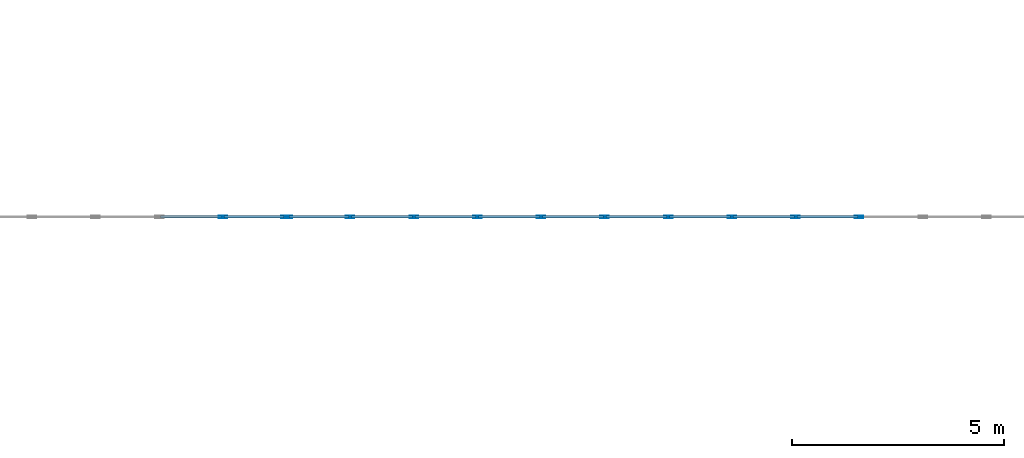
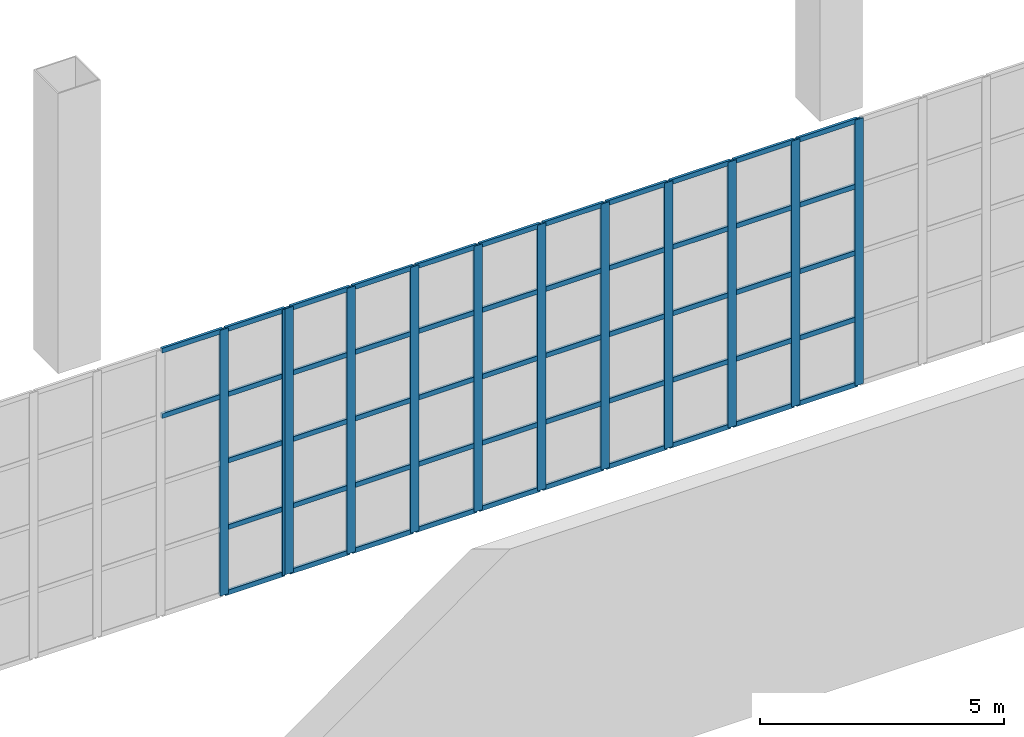
# One storey, part 19 of 85: 64 members, 2 elements without a shape of their own.
"""IFC4 building model written with IfcOpenShell, lengths in metres."""

import ifcopenshell
import ifcopenshell.guid

model = None  # the IFC model being written
_history = None  # IfcOwnerHistory: only IFC2X3 demands one
_inside = {}  # id of a spatial element -> (the spatial element, [elements in it])
_under = {}  # id of a project, library or spatial element -> (it, [spatial elements below it])
_declared = {}  # id of a project -> (the project, [libraries it declares])
_typed = {}  # id of a type object -> (the type object, [elements of that type])
_made_of = {}  # id of a material, layer set ... -> (it, [elements and type objects made of it])


def new_model(schema):
    """Start an empty IFC model of exactly this schema.

    Asked for "IFC4X3", IfcOpenShell would pick the latest addendum, in which some entities
    have other attributes; the version numbers below select the first issue.
    IFC2X3 requires an IfcOwnerHistory on every rooted entity: one is made here for all.
    """
    global model, _history
    if schema == "IFC4X3":
        model = ifcopenshell.file(schema_version=(4, 3, 0, 0))
    else:
        model = ifcopenshell.file(schema=schema)
    _inside.clear()
    _under.clear()
    _declared.clear()
    _typed.clear()
    _made_of.clear()
    _history = None
    if model.schema == "IFC2X3":
        org = make("IfcOrganization", Name="unknown")
        user = make(
            "IfcPersonAndOrganization",
            ThePerson=make("IfcPerson", FamilyName="unknown"),
            TheOrganization=org,
        )
        app = make(
            "IfcApplication",
            ApplicationDeveloper=org,
            Version="unknown",
            ApplicationFullName="unknown",
            ApplicationIdentifier="unknown",
        )
        _history = make(
            "IfcOwnerHistory",
            OwningUser=user,
            OwningApplication=app,
            ChangeAction="ADDED",
            CreationDate=0,
        )
    return model


def make(cls, **values):
    """One entity of the class cls with the attributes given. An attribute that is None is left unset."""
    return model.create_entity(
        cls, **{name: value for name, value in values.items() if value is not None}
    )


def rooted(cls, **values):
    """An entity with a GlobalId (a new one), such as an element, a storey or a relation."""
    return make(cls, GlobalId=ifcopenshell.guid.new(), OwnerHistory=_history, **values)


def si_unit(unit_type, name, prefix=None):
    """IfcSIUnit, for example si_unit("LENGTHUNIT", "METRE", prefix="MILLI")."""
    return make("IfcSIUnit", UnitType=unit_type, Prefix=prefix, Name=name)


def assignment(units):
    """IfcUnitAssignment: the units of a project."""
    return None if units is None else make("IfcUnitAssignment", Units=units)


def point(xyz):
    """IfcCartesianPoint."""
    return None if xyz is None else make("IfcCartesianPoint", Coordinates=xyz)


def direction(xyz):
    """IfcDirection."""
    return None if xyz is None else make("IfcDirection", DirectionRatios=xyz)


def frame(location, z_axis=None, x_axis=None):
    """IfcAxis2Placement3D, a coordinate frame: its origin and axes. An axis left out is left unset."""
    return make(
        "IfcAxis2Placement3D",
        Location=point(location),
        Axis=direction(z_axis),
        RefDirection=direction(x_axis),
    )


def frame_2d(location, x_axis=None):
    """IfcAxis2Placement2D, a coordinate frame in the plane: its origin and x axis."""
    return make(
        "IfcAxis2Placement2D", Location=point(location), RefDirection=direction(x_axis)
    )


def origin():
    """The frame at (0, 0, 0) with its axes left unset."""
    return frame((0.0, 0.0, 0.0))


def origin_2d():
    """The frame at (0, 0) in the plane with its x axis left unset."""
    return frame_2d((0.0, 0.0))


def place(relative_to, where):
    """IfcLocalPlacement: puts the frame where relative to a parent placement (None: the world)."""
    return make(
        "IfcLocalPlacement", PlacementRelTo=relative_to, RelativePlacement=where
    )


def context(
    kind, dimensions, precision=None, world=None, true_north=None, identifier=None
):
    """IfcGeometricRepresentationContext, for example the 3D "Model" context."""
    return make(
        "IfcGeometricRepresentationContext",
        ContextIdentifier=identifier,
        ContextType=kind,
        CoordinateSpaceDimension=dimensions,
        Precision=precision,
        WorldCoordinateSystem=world,
        TrueNorth=true_north,
    )


def subcontext(parent, identifier, kind, view, scale=None):
    """IfcGeometricRepresentationSubContext, for example "Body" below "Model"."""
    return make(
        "IfcGeometricRepresentationSubContext",
        ContextIdentifier=identifier,
        ContextType=kind,
        ParentContext=parent,
        TargetScale=scale,
        TargetView=view,
    )


def project(units=None, contexts=None):
    """IfcProject with its units and contexts."""
    return rooted(
        "IfcProject",
        Name="project",
        RepresentationContexts=contexts,
        UnitsInContext=assignment(units),
    )


def spatial(cls, under=None, at=None, **own):
    """A site, building, storey or space (cls), placed at a placement, below another one or the project."""
    s = rooted(cls, ObjectPlacement=at, **own)
    if under is not None:
        _under.setdefault(under.id(), (under, []))[1].append(s)
    return s


def profile(cls, at=None, kind="AREA", **sizes):
    """A parametric profile (cls). Its sizes go by their IFC names, for example OverallWidth=200.0."""
    return make(cls, ProfileType=kind, Position=at, **sizes)


def hollow_rectangle(**sizes):
    """IfcRectangleHollowProfileDef."""
    return profile("IfcRectangleHollowProfileDef", **sizes)


def extrude(swept, where, along, depth):
    """IfcExtrudedAreaSolid: the profile swept, set in the frame where, extruded along a direction by depth."""
    return make(
        "IfcExtrudedAreaSolid",
        SweptArea=swept,
        Position=where,
        ExtrudedDirection=direction(along),
        Depth=depth,
    )


def shape(context_of_items, identifier, shape_type, items):
    """IfcShapeRepresentation: the items that make up one representation, for example the "Body"."""
    return make(
        "IfcShapeRepresentation",
        ContextOfItems=context_of_items,
        RepresentationIdentifier=identifier,
        RepresentationType=shape_type,
        Items=items,
    )


def material(Name=None, Category=None):
    """IfcMaterial."""
    return make("IfcMaterial", Name=Name, Category=Category)


def layer(
    of_material, thickness, ventilated=None, Name=None, Category=None, Priority=None
):
    """IfcMaterialLayer: one layer of a wall or slab, of a material (None: an air gap)."""
    return make(
        "IfcMaterialLayer",
        Material=of_material,
        LayerThickness=thickness,
        IsVentilated=ventilated,
        Name=Name,
        Category=Category,
        Priority=Priority,
    )


def layer_set(layers, Name=None):
    """IfcMaterialLayerSet."""
    return make("IfcMaterialLayerSet", MaterialLayers=layers, LayerSetName=Name)


def material_profile(
    of_material, cross_section, Name=None, Category=None, Priority=None
):
    """IfcMaterialProfile: a cross section and its material."""
    return make(
        "IfcMaterialProfile",
        Name=Name,
        Material=of_material,
        Profile=cross_section,
        Priority=Priority,
        Category=Category,
    )


def profile_set(profiles, Name=None, composite=None):
    """IfcMaterialProfileSet."""
    return make(
        "IfcMaterialProfileSet",
        Name=Name,
        MaterialProfiles=profiles,
        CompositeProfile=composite,
    )


def made_of(thing, what):
    """Note that an element or type object is made of a material, layer set ...; save() writes the relation."""
    if what is not None:
        _made_of.setdefault(what.id(), (what, []))[1].append(thing)
    return thing


def type_object(cls, material=None, **own):
    """A type object (cls), such as IfcWallType, which elements share."""
    return made_of(rooted(cls, **own), material)


def element(
    cls,
    number,
    at=None,
    inside=None,
    cuts=None,
    type_object=None,
    material=None,
    context=None,
    identifier="Body",
    shape_type=None,
    held_by="IfcProductDefinitionShape",
    body=None,
    shapes=None,
    **own,
):
    """One element of the class cls, such as IfcWall. Its Tag is "e" and its number.

    at: its placement. inside: the storey or other place that contains it. cuts: it is an
    opening in that element (IfcRelVoidsElement). A single representation is given by context,
    identifier, shape_type and body (its items); several are given by shapes. held_by: the class
    of the entity that holds the representations. save() writes the other relations.
    """
    e = rooted(cls, Tag="e%d" % number, ObjectPlacement=at, **own)
    if body is not None:
        shapes = [shape(context, identifier, shape_type, body)]
    if shapes is not None:
        e.Representation = make(held_by, Representations=shapes)
    if inside is not None:
        _inside.setdefault(inside.id(), (inside, []))[1].append(e)
    if cuts is not None:
        rooted(
            "IfcRelVoidsElement", RelatingBuildingElement=cuts, RelatedOpeningElement=e
        )
    if type_object is not None:
        _typed.setdefault(type_object.id(), (type_object, []))[1].append(e)
    return made_of(e, material)


def aggregate(whole, parts):
    """IfcRelAggregates: a whole, such as a stair, and the parts it consists of."""
    return rooted("IfcRelAggregates", RelatingObject=whole, RelatedObjects=parts)


def save(model, path):
    """Write the relations noted so far, then the file.

    IfcRelAggregates (storeys below a building ...), IfcRelContainedInSpatialStructure (elements
    in a storey), IfcRelDefinesByType, IfcRelAssociatesMaterial and IfcRelDeclares: one each for
    every whole, place, type object, material and project.
    """
    for whole, parts in _under.values():
        aggregate(whole, parts)
    for where, things in _inside.values():
        rooted(
            "IfcRelContainedInSpatialStructure",
            RelatedElements=things,
            RelatingStructure=where,
        )
    for kind, things in _typed.values():
        rooted("IfcRelDefinesByType", RelatedObjects=things, RelatingType=kind)
    for what, things in _made_of.values():
        rooted("IfcRelAssociatesMaterial", RelatedObjects=things, RelatingMaterial=what)
    for by, libraries in _declared.values():
        rooted("IfcRelDeclares", RelatingContext=by, RelatedDefinitions=libraries)
    model.write(path)


model = new_model("IFC4")

# Units and contexts
model_context = context("Model", 3, precision=1e-05, world=origin(), true_north=direction((0.0, 1.0)))
body_context = subcontext(model_context, "Body", "Model", "MODEL_VIEW")
ifc_project = project(units=[si_unit("LENGTHUNIT", "METRE"), si_unit("AREAUNIT", "SQUARE_METRE"), si_unit("VOLUMEUNIT", "CUBIC_METRE"), si_unit("PLANEANGLEUNIT", "RADIAN"), si_unit("MASSUNIT", "GRAM", prefix="KILO")], contexts=[model_context])

# Site, building, storey
site_placement = place(None, origin())
site = spatial("IfcSite", under=ifc_project, at=site_placement, CompositionType="ELEMENT")
building_placement = place(site_placement, origin())
building = spatial("IfcBuilding", under=site, at=building_placement, Name="Opaline Strait Convention Centre", CompositionType="ELEMENT")
storey_placement = place(building_placement, frame((0.0, 0.0, 17.0)))
storey = spatial("IfcBuildingStorey", under=building, at=storey_placement, Name="L03", CompositionType="ELEMENT", Elevation=17.0)

# Curtain wall, members
ifc_material_1 = material(Name="Aluminium framed glazing", Category="aluminium")
ifc_layer = layer(ifc_material_1, 0.199951171875)
ifc_layer_set = layer_set([ifc_layer], Name="Aluminium framed glazing")
curtain_wall_type = type_object("IfcCurtainWallType", Name="Entrance curtain wall 1500", PredefinedType="NOTDEFINED", material=ifc_layer_set)
curtain_wall_1_placement = place(storey_placement, origin())
curtain_wall_1 = element("IfcCurtainWall", 1, at=curtain_wall_1_placement, inside=storey, type_object=curtain_wall_type, Name="Entrance curtain wall L03-R1", PredefinedType="NOTDEFINED")
ifc_material_2 = material(Name="Aluminium alloy 6063", Category="aluminium")
ifc_material_profile_1 = material_profile(ifc_material_2, hollow_rectangle(XDim=0.06005859375, YDim=0.199951171875, WallThickness=0.00390625, at=origin_2d()), Name="MULLION 60x200x4")
ifc_profile_set_1 = profile_set([ifc_material_profile_1], Name="Aluminium alloy 6063")
member_type_1 = type_object("IfcMemberType", Name="Curtain wall mullion 60 x 200", PredefinedType="MULLION", material=ifc_profile_set_1)
member_1_placement = place(storey_placement, frame((169.5, 144.0, 0.0), z_axis=(0.0, 0.0, 1.0), x_axis=(0.0, 1.0, 0.0)))
member_1 = element("IfcMember", 2, at=member_1_placement, type_object=member_type_1, Name="XCW mullion 12", PredefinedType="MULLION", context=body_context, shape_type="SweptSolid", body=[
    extrude(hollow_rectangle(XDim=0.06005859375, YDim=0.199951171875, WallThickness=0.00390625, at=origin_2d()), origin(), (0.0, 0.0, 1.0), 6.639892578125),
])
member_2_placement = place(storey_placement, frame((170.969970703125, 144.0, 0.0), z_axis=(0.0, 0.0, 1.0), x_axis=(0.0, 1.0, 0.0)))
member_2 = element("IfcMember", 3, at=member_2_placement, type_object=member_type_1, Name="XCW mullion 13", PredefinedType="MULLION", context=body_context, shape_type="SweptSolid", body=[
    extrude(hollow_rectangle(XDim=0.06005859375, YDim=0.199951171875, WallThickness=0.00390625, at=origin_2d()), origin(), (0.0, 0.0, 1.0), 6.639892578125),
])

curtain_wall_2_placement = place(storey_placement, origin())
curtain_wall_2 = element("IfcCurtainWall", 4, at=curtain_wall_2_placement, inside=storey, type_object=curtain_wall_type, Name="Entrance curtain wall L03-R2", PredefinedType="NOTDEFINED")
member_3_placement = place(storey_placement, frame((171.030029296875, 144.0, 0.0), z_axis=(0.0, 0.0, 1.0), x_axis=(0.0, 1.0, 0.0)))
member_3 = element("IfcMember", 5, at=member_3_placement, type_object=member_type_1, Name="XCW mullion 1", PredefinedType="MULLION", context=body_context, shape_type="SweptSolid", body=[
    extrude(hollow_rectangle(XDim=0.06005859375, YDim=0.199951171875, WallThickness=0.00390625, at=origin_2d()), origin(), (0.0, 0.0, 1.0), 6.639892578125),
])
member_4_placement = place(storey_placement, frame((172.5, 144.0, 0.0), z_axis=(0.0, 0.0, 1.0), x_axis=(0.0, 1.0, 0.0)))
member_4 = element("IfcMember", 6, at=member_4_placement, type_object=member_type_1, Name="XCW mullion 2", PredefinedType="MULLION", context=body_context, shape_type="SweptSolid", body=[
    extrude(hollow_rectangle(XDim=0.06005859375, YDim=0.199951171875, WallThickness=0.00390625, at=origin_2d()), origin(), (0.0, 0.0, 1.0), 6.639892578125),
])
member_5_placement = place(storey_placement, frame((174.0, 144.0, 0.0), z_axis=(0.0, 0.0, 1.0), x_axis=(0.0, 1.0, 0.0)))
member_5 = element("IfcMember", 7, at=member_5_placement, type_object=member_type_1, Name="XCW mullion 3", PredefinedType="MULLION", context=body_context, shape_type="SweptSolid", body=[
    extrude(hollow_rectangle(XDim=0.06005859375, YDim=0.199951171875, WallThickness=0.00390625, at=origin_2d()), origin(), (0.0, 0.0, 1.0), 6.639892578125),
])
member_6_placement = place(storey_placement, frame((175.5, 144.0, 0.0), z_axis=(0.0, 0.0, 1.0), x_axis=(0.0, 1.0, 0.0)))
member_6 = element("IfcMember", 8, at=member_6_placement, type_object=member_type_1, Name="XCW mullion 4", PredefinedType="MULLION", context=body_context, shape_type="SweptSolid", body=[
    extrude(hollow_rectangle(XDim=0.06005859375, YDim=0.199951171875, WallThickness=0.00390625, at=origin_2d()), origin(), (0.0, 0.0, 1.0), 6.639892578125),
])
member_7_placement = place(storey_placement, frame((177.0, 144.0, 0.0), z_axis=(0.0, 0.0, 1.0), x_axis=(0.0, 1.0, 0.0)))
member_7 = element("IfcMember", 9, at=member_7_placement, type_object=member_type_1, Name="XCW mullion 5", PredefinedType="MULLION", context=body_context, shape_type="SweptSolid", body=[
    extrude(hollow_rectangle(XDim=0.06005859375, YDim=0.199951171875, WallThickness=0.00390625, at=origin_2d()), origin(), (0.0, 0.0, 1.0), 6.639892578125),
])
member_8_placement = place(storey_placement, frame((178.5, 144.0, 0.0), z_axis=(0.0, 0.0, 1.0), x_axis=(0.0, 1.0, 0.0)))
member_8 = element("IfcMember", 10, at=member_8_placement, type_object=member_type_1, Name="XCW mullion 6", PredefinedType="MULLION", context=body_context, shape_type="SweptSolid", body=[
    extrude(hollow_rectangle(XDim=0.06005859375, YDim=0.199951171875, WallThickness=0.00390625, at=origin_2d()), origin(), (0.0, 0.0, 1.0), 6.639892578125),
])
member_9_placement = place(storey_placement, frame((180.0, 144.0, 0.0), z_axis=(0.0, 0.0, 1.0), x_axis=(0.0, 1.0, 0.0)))
member_9 = element("IfcMember", 11, at=member_9_placement, type_object=member_type_1, Name="XCW mullion 7", PredefinedType="MULLION", context=body_context, shape_type="SweptSolid", body=[
    extrude(hollow_rectangle(XDim=0.06005859375, YDim=0.199951171875, WallThickness=0.00390625, at=origin_2d()), origin(), (0.0, 0.0, 1.0), 6.639892578125),
])
member_10_placement = place(storey_placement, frame((181.5, 144.0, 0.0), z_axis=(0.0, 0.0, 1.0), x_axis=(0.0, 1.0, 0.0)))
member_10 = element("IfcMember", 12, at=member_10_placement, type_object=member_type_1, Name="XCW mullion 8", PredefinedType="MULLION", context=body_context, shape_type="SweptSolid", body=[
    extrude(hollow_rectangle(XDim=0.06005859375, YDim=0.199951171875, WallThickness=0.00390625, at=origin_2d()), origin(), (0.0, 0.0, 1.0), 6.639892578125),
])
member_11_placement = place(storey_placement, frame((183.0, 144.0, 0.0), z_axis=(0.0, 0.0, 1.0), x_axis=(0.0, 1.0, 0.0)))
member_11 = element("IfcMember", 13, at=member_11_placement, type_object=member_type_1, Name="XCW mullion 9", PredefinedType="MULLION", context=body_context, shape_type="SweptSolid", body=[
    extrude(hollow_rectangle(XDim=0.06005859375, YDim=0.199951171875, WallThickness=0.00390625, at=origin_2d()), origin(), (0.0, 0.0, 1.0), 6.639892578125),
])
member_12_placement = place(storey_placement, frame((184.5, 144.0, 0.0), z_axis=(0.0, 0.0, 1.0), x_axis=(0.0, 1.0, 0.0)))
member_12 = element("IfcMember", 14, at=member_12_placement, type_object=member_type_1, Name="XCW mullion 10", PredefinedType="MULLION", context=body_context, shape_type="SweptSolid", body=[
    extrude(hollow_rectangle(XDim=0.06005859375, YDim=0.199951171875, WallThickness=0.00390625, at=origin_2d()), origin(), (0.0, 0.0, 1.0), 6.639892578125),
])

# Member
ifc_material_profile_2 = material_profile(ifc_material_2, hollow_rectangle(XDim=0.06005859375, YDim=0.1201171875, WallThickness=0.0029296875, at=origin_2d()), Name="TRANSOM 60x120x3")
ifc_profile_set_2 = profile_set([ifc_material_profile_2], Name="Aluminium alloy 6063")
member_type_2 = type_object("IfcMemberType", Name="Curtain wall transom 60 x 120", PredefinedType="USERDEFINED", material=ifc_profile_set_2)
member_13_placement = place(storey_placement, frame((168.030029296875, 144.0, 4.97998046875), z_axis=(1.0, 0.0, 0.0), x_axis=(0.0, 1.0, 0.0)))
member_13 = element("IfcMember", 15, at=member_13_placement, type_object=member_type_2, Name="XCW transom 11.4", ObjectType="TRANSOM", PredefinedType="USERDEFINED", context=body_context, shape_type="SweptSolid", body=[
    extrude(hollow_rectangle(XDim=0.06005859375, YDim=0.1201171875, WallThickness=0.0029296875, at=origin_2d()), origin(), (0.0, 0.0, 1.0), 1.43994140625),
])

member_14_placement = place(storey_placement, frame((168.030029296875, 144.0, 6.610107421875), z_axis=(1.0, 0.0, 0.0), x_axis=(0.0, 1.0, 0.0)))
member_14 = element("IfcMember", 16, at=member_14_placement, type_object=member_type_2, Name="XCW transom 11.5", ObjectType="TRANSOM", PredefinedType="USERDEFINED", context=body_context, shape_type="SweptSolid", body=[
    extrude(hollow_rectangle(XDim=0.06005859375, YDim=0.1201171875, WallThickness=0.0029296875, at=origin_2d()), origin(), (0.0, 0.0, 1.0), 1.43994140625),
])

member_15_placement = place(storey_placement, frame((169.530029296875, 144.0, 0.030029296875), z_axis=(1.0, 0.0, 0.0), x_axis=(0.0, 1.0, 0.0)))
member_15 = element("IfcMember", 17, at=member_15_placement, type_object=member_type_2, Name="XCW transom 12.1", ObjectType="TRANSOM", PredefinedType="USERDEFINED", context=body_context, shape_type="SweptSolid", body=[
    extrude(hollow_rectangle(XDim=0.06005859375, YDim=0.1201171875, WallThickness=0.0029296875, at=origin_2d()), origin(), (0.0, 0.0, 1.0), 1.409912109375),
])

member_16_placement = place(storey_placement, frame((169.530029296875, 144.0, 1.659912109375), z_axis=(1.0, 0.0, 0.0), x_axis=(0.0, 1.0, 0.0)))
member_16 = element("IfcMember", 18, at=member_16_placement, type_object=member_type_2, Name="XCW transom 12.2", ObjectType="TRANSOM", PredefinedType="USERDEFINED", context=body_context, shape_type="SweptSolid", body=[
    extrude(hollow_rectangle(XDim=0.06005859375, YDim=0.1201171875, WallThickness=0.0029296875, at=origin_2d()), origin(), (0.0, 0.0, 1.0), 1.409912109375),
])

member_17_placement = place(storey_placement, frame((169.530029296875, 144.0, 3.320068359375), z_axis=(1.0, 0.0, 0.0), x_axis=(0.0, 1.0, 0.0)))
member_17 = element("IfcMember", 19, at=member_17_placement, type_object=member_type_2, Name="XCW transom 12.3", ObjectType="TRANSOM", PredefinedType="USERDEFINED", context=body_context, shape_type="SweptSolid", body=[
    extrude(hollow_rectangle(XDim=0.06005859375, YDim=0.1201171875, WallThickness=0.0029296875, at=origin_2d()), origin(), (0.0, 0.0, 1.0), 1.409912109375),
])

member_18_placement = place(storey_placement, frame((169.530029296875, 144.0, 4.97998046875), z_axis=(1.0, 0.0, 0.0), x_axis=(0.0, 1.0, 0.0)))
member_18 = element("IfcMember", 20, at=member_18_placement, type_object=member_type_2, Name="XCW transom 12.4", ObjectType="TRANSOM", PredefinedType="USERDEFINED", context=body_context, shape_type="SweptSolid", body=[
    extrude(hollow_rectangle(XDim=0.06005859375, YDim=0.1201171875, WallThickness=0.0029296875, at=origin_2d()), origin(), (0.0, 0.0, 1.0), 1.409912109375),
])

member_19_placement = place(storey_placement, frame((169.530029296875, 144.0, 6.610107421875), z_axis=(1.0, 0.0, 0.0), x_axis=(0.0, 1.0, 0.0)))
member_19 = element("IfcMember", 21, at=member_19_placement, type_object=member_type_2, Name="XCW transom 12.5", ObjectType="TRANSOM", PredefinedType="USERDEFINED", context=body_context, shape_type="SweptSolid", body=[
    extrude(hollow_rectangle(XDim=0.06005859375, YDim=0.1201171875, WallThickness=0.0029296875, at=origin_2d()), origin(), (0.0, 0.0, 1.0), 1.409912109375),
])

aggregate(curtain_wall_1, [member_1, member_2, member_13, member_14, member_15, member_16, member_17, member_18, member_19])

member_20_placement = place(storey_placement, frame((171.06005859375, 144.0, 0.030029296875), z_axis=(1.0, 0.0, 0.0), x_axis=(0.0, 1.0, 0.0)))
member_20 = element("IfcMember", 22, at=member_20_placement, type_object=member_type_2, Name="XCW transom 1.1", ObjectType="TRANSOM", PredefinedType="USERDEFINED", context=body_context, shape_type="SweptSolid", body=[
    extrude(hollow_rectangle(XDim=0.06005859375, YDim=0.1201171875, WallThickness=0.0029296875, at=origin_2d()), origin(), (0.0, 0.0, 1.0), 1.409912109375),
])

member_21_placement = place(storey_placement, frame((171.06005859375, 144.0, 1.659912109375), z_axis=(1.0, 0.0, 0.0), x_axis=(0.0, 1.0, 0.0)))
member_21 = element("IfcMember", 23, at=member_21_placement, type_object=member_type_2, Name="XCW transom 1.2", ObjectType="TRANSOM", PredefinedType="USERDEFINED", context=body_context, shape_type="SweptSolid", body=[
    extrude(hollow_rectangle(XDim=0.06005859375, YDim=0.1201171875, WallThickness=0.0029296875, at=origin_2d()), origin(), (0.0, 0.0, 1.0), 1.409912109375),
])

member_22_placement = place(storey_placement, frame((171.06005859375, 144.0, 3.320068359375), z_axis=(1.0, 0.0, 0.0), x_axis=(0.0, 1.0, 0.0)))
member_22 = element("IfcMember", 24, at=member_22_placement, type_object=member_type_2, Name="XCW transom 1.3", ObjectType="TRANSOM", PredefinedType="USERDEFINED", context=body_context, shape_type="SweptSolid", body=[
    extrude(hollow_rectangle(XDim=0.06005859375, YDim=0.1201171875, WallThickness=0.0029296875, at=origin_2d()), origin(), (0.0, 0.0, 1.0), 1.409912109375),
])

member_23_placement = place(storey_placement, frame((171.06005859375, 144.0, 4.97998046875), z_axis=(1.0, 0.0, 0.0), x_axis=(0.0, 1.0, 0.0)))
member_23 = element("IfcMember", 25, at=member_23_placement, type_object=member_type_2, Name="XCW transom 1.4", ObjectType="TRANSOM", PredefinedType="USERDEFINED", context=body_context, shape_type="SweptSolid", body=[
    extrude(hollow_rectangle(XDim=0.06005859375, YDim=0.1201171875, WallThickness=0.0029296875, at=origin_2d()), origin(), (0.0, 0.0, 1.0), 1.409912109375),
])

member_24_placement = place(storey_placement, frame((171.06005859375, 144.0, 6.610107421875), z_axis=(1.0, 0.0, 0.0), x_axis=(0.0, 1.0, 0.0)))
member_24 = element("IfcMember", 26, at=member_24_placement, type_object=member_type_2, Name="XCW transom 1.5", ObjectType="TRANSOM", PredefinedType="USERDEFINED", context=body_context, shape_type="SweptSolid", body=[
    extrude(hollow_rectangle(XDim=0.06005859375, YDim=0.1201171875, WallThickness=0.0029296875, at=origin_2d()), origin(), (0.0, 0.0, 1.0), 1.409912109375),
])

member_25_placement = place(storey_placement, frame((172.530029296875, 144.0, 0.030029296875), z_axis=(1.0, 0.0, 0.0), x_axis=(0.0, 1.0, 0.0)))
member_25 = element("IfcMember", 27, at=member_25_placement, type_object=member_type_2, Name="XCW transom 2.1", ObjectType="TRANSOM", PredefinedType="USERDEFINED", context=body_context, shape_type="SweptSolid", body=[
    extrude(hollow_rectangle(XDim=0.06005859375, YDim=0.1201171875, WallThickness=0.0029296875, at=origin_2d()), origin(), (0.0, 0.0, 1.0), 1.43994140625),
])

member_26_placement = place(storey_placement, frame((172.530029296875, 144.0, 1.659912109375), z_axis=(1.0, 0.0, 0.0), x_axis=(0.0, 1.0, 0.0)))
member_26 = element("IfcMember", 28, at=member_26_placement, type_object=member_type_2, Name="XCW transom 2.2", ObjectType="TRANSOM", PredefinedType="USERDEFINED", context=body_context, shape_type="SweptSolid", body=[
    extrude(hollow_rectangle(XDim=0.06005859375, YDim=0.1201171875, WallThickness=0.0029296875, at=origin_2d()), origin(), (0.0, 0.0, 1.0), 1.43994140625),
])

member_27_placement = place(storey_placement, frame((172.530029296875, 144.0, 3.320068359375), z_axis=(1.0, 0.0, 0.0), x_axis=(0.0, 1.0, 0.0)))
member_27 = element("IfcMember", 29, at=member_27_placement, type_object=member_type_2, Name="XCW transom 2.3", ObjectType="TRANSOM", PredefinedType="USERDEFINED", context=body_context, shape_type="SweptSolid", body=[
    extrude(hollow_rectangle(XDim=0.06005859375, YDim=0.1201171875, WallThickness=0.0029296875, at=origin_2d()), origin(), (0.0, 0.0, 1.0), 1.43994140625),
])

member_28_placement = place(storey_placement, frame((172.530029296875, 144.0, 4.97998046875), z_axis=(1.0, 0.0, 0.0), x_axis=(0.0, 1.0, 0.0)))
member_28 = element("IfcMember", 30, at=member_28_placement, type_object=member_type_2, Name="XCW transom 2.4", ObjectType="TRANSOM", PredefinedType="USERDEFINED", context=body_context, shape_type="SweptSolid", body=[
    extrude(hollow_rectangle(XDim=0.06005859375, YDim=0.1201171875, WallThickness=0.0029296875, at=origin_2d()), origin(), (0.0, 0.0, 1.0), 1.43994140625),
])

member_29_placement = place(storey_placement, frame((172.530029296875, 144.0, 6.610107421875), z_axis=(1.0, 0.0, 0.0), x_axis=(0.0, 1.0, 0.0)))
member_29 = element("IfcMember", 31, at=member_29_placement, type_object=member_type_2, Name="XCW transom 2.5", ObjectType="TRANSOM", PredefinedType="USERDEFINED", context=body_context, shape_type="SweptSolid", body=[
    extrude(hollow_rectangle(XDim=0.06005859375, YDim=0.1201171875, WallThickness=0.0029296875, at=origin_2d()), origin(), (0.0, 0.0, 1.0), 1.43994140625),
])

member_30_placement = place(storey_placement, frame((174.030029296875, 144.0, 0.030029296875), z_axis=(1.0, 0.0, 0.0), x_axis=(0.0, 1.0, 0.0)))
member_30 = element("IfcMember", 32, at=member_30_placement, type_object=member_type_2, Name="XCW transom 3.1", ObjectType="TRANSOM", PredefinedType="USERDEFINED", context=body_context, shape_type="SweptSolid", body=[
    extrude(hollow_rectangle(XDim=0.06005859375, YDim=0.1201171875, WallThickness=0.0029296875, at=origin_2d()), origin(), (0.0, 0.0, 1.0), 1.43994140625),
])

member_31_placement = place(storey_placement, frame((174.030029296875, 144.0, 1.659912109375), z_axis=(1.0, 0.0, 0.0), x_axis=(0.0, 1.0, 0.0)))
member_31 = element("IfcMember", 33, at=member_31_placement, type_object=member_type_2, Name="XCW transom 3.2", ObjectType="TRANSOM", PredefinedType="USERDEFINED", context=body_context, shape_type="SweptSolid", body=[
    extrude(hollow_rectangle(XDim=0.06005859375, YDim=0.1201171875, WallThickness=0.0029296875, at=origin_2d()), origin(), (0.0, 0.0, 1.0), 1.43994140625),
])

member_32_placement = place(storey_placement, frame((174.030029296875, 144.0, 3.320068359375), z_axis=(1.0, 0.0, 0.0), x_axis=(0.0, 1.0, 0.0)))
member_32 = element("IfcMember", 34, at=member_32_placement, type_object=member_type_2, Name="XCW transom 3.3", ObjectType="TRANSOM", PredefinedType="USERDEFINED", context=body_context, shape_type="SweptSolid", body=[
    extrude(hollow_rectangle(XDim=0.06005859375, YDim=0.1201171875, WallThickness=0.0029296875, at=origin_2d()), origin(), (0.0, 0.0, 1.0), 1.43994140625),
])

member_33_placement = place(storey_placement, frame((174.030029296875, 144.0, 4.97998046875), z_axis=(1.0, 0.0, 0.0), x_axis=(0.0, 1.0, 0.0)))
member_33 = element("IfcMember", 35, at=member_33_placement, type_object=member_type_2, Name="XCW transom 3.4", ObjectType="TRANSOM", PredefinedType="USERDEFINED", context=body_context, shape_type="SweptSolid", body=[
    extrude(hollow_rectangle(XDim=0.06005859375, YDim=0.1201171875, WallThickness=0.0029296875, at=origin_2d()), origin(), (0.0, 0.0, 1.0), 1.43994140625),
])

member_34_placement = place(storey_placement, frame((174.030029296875, 144.0, 6.610107421875), z_axis=(1.0, 0.0, 0.0), x_axis=(0.0, 1.0, 0.0)))
member_34 = element("IfcMember", 36, at=member_34_placement, type_object=member_type_2, Name="XCW transom 3.5", ObjectType="TRANSOM", PredefinedType="USERDEFINED", context=body_context, shape_type="SweptSolid", body=[
    extrude(hollow_rectangle(XDim=0.06005859375, YDim=0.1201171875, WallThickness=0.0029296875, at=origin_2d()), origin(), (0.0, 0.0, 1.0), 1.43994140625),
])

member_35_placement = place(storey_placement, frame((175.530029296875, 144.0, 0.030029296875), z_axis=(1.0, 0.0, 0.0), x_axis=(0.0, 1.0, 0.0)))
member_35 = element("IfcMember", 37, at=member_35_placement, type_object=member_type_2, Name="XCW transom 4.1", ObjectType="TRANSOM", PredefinedType="USERDEFINED", context=body_context, shape_type="SweptSolid", body=[
    extrude(hollow_rectangle(XDim=0.06005859375, YDim=0.1201171875, WallThickness=0.0029296875, at=origin_2d()), origin(), (0.0, 0.0, 1.0), 1.43994140625),
])

member_36_placement = place(storey_placement, frame((175.530029296875, 144.0, 1.659912109375), z_axis=(1.0, 0.0, 0.0), x_axis=(0.0, 1.0, 0.0)))
member_36 = element("IfcMember", 38, at=member_36_placement, type_object=member_type_2, Name="XCW transom 4.2", ObjectType="TRANSOM", PredefinedType="USERDEFINED", context=body_context, shape_type="SweptSolid", body=[
    extrude(hollow_rectangle(XDim=0.06005859375, YDim=0.1201171875, WallThickness=0.0029296875, at=origin_2d()), origin(), (0.0, 0.0, 1.0), 1.43994140625),
])

member_37_placement = place(storey_placement, frame((175.530029296875, 144.0, 3.320068359375), z_axis=(1.0, 0.0, 0.0), x_axis=(0.0, 1.0, 0.0)))
member_37 = element("IfcMember", 39, at=member_37_placement, type_object=member_type_2, Name="XCW transom 4.3", ObjectType="TRANSOM", PredefinedType="USERDEFINED", context=body_context, shape_type="SweptSolid", body=[
    extrude(hollow_rectangle(XDim=0.06005859375, YDim=0.1201171875, WallThickness=0.0029296875, at=origin_2d()), origin(), (0.0, 0.0, 1.0), 1.43994140625),
])

member_38_placement = place(storey_placement, frame((175.530029296875, 144.0, 4.97998046875), z_axis=(1.0, 0.0, 0.0), x_axis=(0.0, 1.0, 0.0)))
member_38 = element("IfcMember", 40, at=member_38_placement, type_object=member_type_2, Name="XCW transom 4.4", ObjectType="TRANSOM", PredefinedType="USERDEFINED", context=body_context, shape_type="SweptSolid", body=[
    extrude(hollow_rectangle(XDim=0.06005859375, YDim=0.1201171875, WallThickness=0.0029296875, at=origin_2d()), origin(), (0.0, 0.0, 1.0), 1.43994140625),
])

member_39_placement = place(storey_placement, frame((175.530029296875, 144.0, 6.610107421875), z_axis=(1.0, 0.0, 0.0), x_axis=(0.0, 1.0, 0.0)))
member_39 = element("IfcMember", 41, at=member_39_placement, type_object=member_type_2, Name="XCW transom 4.5", ObjectType="TRANSOM", PredefinedType="USERDEFINED", context=body_context, shape_type="SweptSolid", body=[
    extrude(hollow_rectangle(XDim=0.06005859375, YDim=0.1201171875, WallThickness=0.0029296875, at=origin_2d()), origin(), (0.0, 0.0, 1.0), 1.43994140625),
])

member_40_placement = place(storey_placement, frame((177.030029296875, 144.0, 0.030029296875), z_axis=(1.0, 0.0, 0.0), x_axis=(0.0, 1.0, 0.0)))
member_40 = element("IfcMember", 42, at=member_40_placement, type_object=member_type_2, Name="XCW transom 5.1", ObjectType="TRANSOM", PredefinedType="USERDEFINED", context=body_context, shape_type="SweptSolid", body=[
    extrude(hollow_rectangle(XDim=0.06005859375, YDim=0.1201171875, WallThickness=0.0029296875, at=origin_2d()), origin(), (0.0, 0.0, 1.0), 1.43994140625),
])

member_41_placement = place(storey_placement, frame((177.030029296875, 144.0, 1.659912109375), z_axis=(1.0, 0.0, 0.0), x_axis=(0.0, 1.0, 0.0)))
member_41 = element("IfcMember", 43, at=member_41_placement, type_object=member_type_2, Name="XCW transom 5.2", ObjectType="TRANSOM", PredefinedType="USERDEFINED", context=body_context, shape_type="SweptSolid", body=[
    extrude(hollow_rectangle(XDim=0.06005859375, YDim=0.1201171875, WallThickness=0.0029296875, at=origin_2d()), origin(), (0.0, 0.0, 1.0), 1.43994140625),
])

member_42_placement = place(storey_placement, frame((177.030029296875, 144.0, 3.320068359375), z_axis=(1.0, 0.0, 0.0), x_axis=(0.0, 1.0, 0.0)))
member_42 = element("IfcMember", 44, at=member_42_placement, type_object=member_type_2, Name="XCW transom 5.3", ObjectType="TRANSOM", PredefinedType="USERDEFINED", context=body_context, shape_type="SweptSolid", body=[
    extrude(hollow_rectangle(XDim=0.06005859375, YDim=0.1201171875, WallThickness=0.0029296875, at=origin_2d()), origin(), (0.0, 0.0, 1.0), 1.43994140625),
])

member_43_placement = place(storey_placement, frame((177.030029296875, 144.0, 4.97998046875), z_axis=(1.0, 0.0, 0.0), x_axis=(0.0, 1.0, 0.0)))
member_43 = element("IfcMember", 45, at=member_43_placement, type_object=member_type_2, Name="XCW transom 5.4", ObjectType="TRANSOM", PredefinedType="USERDEFINED", context=body_context, shape_type="SweptSolid", body=[
    extrude(hollow_rectangle(XDim=0.06005859375, YDim=0.1201171875, WallThickness=0.0029296875, at=origin_2d()), origin(), (0.0, 0.0, 1.0), 1.43994140625),
])

member_44_placement = place(storey_placement, frame((177.030029296875, 144.0, 6.610107421875), z_axis=(1.0, 0.0, 0.0), x_axis=(0.0, 1.0, 0.0)))
member_44 = element("IfcMember", 46, at=member_44_placement, type_object=member_type_2, Name="XCW transom 5.5", ObjectType="TRANSOM", PredefinedType="USERDEFINED", context=body_context, shape_type="SweptSolid", body=[
    extrude(hollow_rectangle(XDim=0.06005859375, YDim=0.1201171875, WallThickness=0.0029296875, at=origin_2d()), origin(), (0.0, 0.0, 1.0), 1.43994140625),
])

member_45_placement = place(storey_placement, frame((178.530029296875, 144.0, 0.030029296875), z_axis=(1.0, 0.0, 0.0), x_axis=(0.0, 1.0, 0.0)))
member_45 = element("IfcMember", 47, at=member_45_placement, type_object=member_type_2, Name="XCW transom 6.1", ObjectType="TRANSOM", PredefinedType="USERDEFINED", context=body_context, shape_type="SweptSolid", body=[
    extrude(hollow_rectangle(XDim=0.06005859375, YDim=0.1201171875, WallThickness=0.0029296875, at=origin_2d()), origin(), (0.0, 0.0, 1.0), 1.43994140625),
])

member_46_placement = place(storey_placement, frame((178.530029296875, 144.0, 1.659912109375), z_axis=(1.0, 0.0, 0.0), x_axis=(0.0, 1.0, 0.0)))
member_46 = element("IfcMember", 48, at=member_46_placement, type_object=member_type_2, Name="XCW transom 6.2", ObjectType="TRANSOM", PredefinedType="USERDEFINED", context=body_context, shape_type="SweptSolid", body=[
    extrude(hollow_rectangle(XDim=0.06005859375, YDim=0.1201171875, WallThickness=0.0029296875, at=origin_2d()), origin(), (0.0, 0.0, 1.0), 1.43994140625),
])

member_47_placement = place(storey_placement, frame((178.530029296875, 144.0, 3.320068359375), z_axis=(1.0, 0.0, 0.0), x_axis=(0.0, 1.0, 0.0)))
member_47 = element("IfcMember", 49, at=member_47_placement, type_object=member_type_2, Name="XCW transom 6.3", ObjectType="TRANSOM", PredefinedType="USERDEFINED", context=body_context, shape_type="SweptSolid", body=[
    extrude(hollow_rectangle(XDim=0.06005859375, YDim=0.1201171875, WallThickness=0.0029296875, at=origin_2d()), origin(), (0.0, 0.0, 1.0), 1.43994140625),
])

member_48_placement = place(storey_placement, frame((178.530029296875, 144.0, 4.97998046875), z_axis=(1.0, 0.0, 0.0), x_axis=(0.0, 1.0, 0.0)))
member_48 = element("IfcMember", 50, at=member_48_placement, type_object=member_type_2, Name="XCW transom 6.4", ObjectType="TRANSOM", PredefinedType="USERDEFINED", context=body_context, shape_type="SweptSolid", body=[
    extrude(hollow_rectangle(XDim=0.06005859375, YDim=0.1201171875, WallThickness=0.0029296875, at=origin_2d()), origin(), (0.0, 0.0, 1.0), 1.43994140625),
])

member_49_placement = place(storey_placement, frame((178.530029296875, 144.0, 6.610107421875), z_axis=(1.0, 0.0, 0.0), x_axis=(0.0, 1.0, 0.0)))
member_49 = element("IfcMember", 51, at=member_49_placement, type_object=member_type_2, Name="XCW transom 6.5", ObjectType="TRANSOM", PredefinedType="USERDEFINED", context=body_context, shape_type="SweptSolid", body=[
    extrude(hollow_rectangle(XDim=0.06005859375, YDim=0.1201171875, WallThickness=0.0029296875, at=origin_2d()), origin(), (0.0, 0.0, 1.0), 1.43994140625),
])

member_50_placement = place(storey_placement, frame((180.030029296875, 144.0, 0.030029296875), z_axis=(1.0, 0.0, 0.0), x_axis=(0.0, 1.0, 0.0)))
member_50 = element("IfcMember", 52, at=member_50_placement, type_object=member_type_2, Name="XCW transom 7.1", ObjectType="TRANSOM", PredefinedType="USERDEFINED", context=body_context, shape_type="SweptSolid", body=[
    extrude(hollow_rectangle(XDim=0.06005859375, YDim=0.1201171875, WallThickness=0.0029296875, at=origin_2d()), origin(), (0.0, 0.0, 1.0), 1.43994140625),
])

member_51_placement = place(storey_placement, frame((180.030029296875, 144.0, 1.659912109375), z_axis=(1.0, 0.0, 0.0), x_axis=(0.0, 1.0, 0.0)))
member_51 = element("IfcMember", 53, at=member_51_placement, type_object=member_type_2, Name="XCW transom 7.2", ObjectType="TRANSOM", PredefinedType="USERDEFINED", context=body_context, shape_type="SweptSolid", body=[
    extrude(hollow_rectangle(XDim=0.06005859375, YDim=0.1201171875, WallThickness=0.0029296875, at=origin_2d()), origin(), (0.0, 0.0, 1.0), 1.43994140625),
])

member_52_placement = place(storey_placement, frame((180.030029296875, 144.0, 3.320068359375), z_axis=(1.0, 0.0, 0.0), x_axis=(0.0, 1.0, 0.0)))
member_52 = element("IfcMember", 54, at=member_52_placement, type_object=member_type_2, Name="XCW transom 7.3", ObjectType="TRANSOM", PredefinedType="USERDEFINED", context=body_context, shape_type="SweptSolid", body=[
    extrude(hollow_rectangle(XDim=0.06005859375, YDim=0.1201171875, WallThickness=0.0029296875, at=origin_2d()), origin(), (0.0, 0.0, 1.0), 1.43994140625),
])

member_53_placement = place(storey_placement, frame((180.030029296875, 144.0, 4.97998046875), z_axis=(1.0, 0.0, 0.0), x_axis=(0.0, 1.0, 0.0)))
member_53 = element("IfcMember", 55, at=member_53_placement, type_object=member_type_2, Name="XCW transom 7.4", ObjectType="TRANSOM", PredefinedType="USERDEFINED", context=body_context, shape_type="SweptSolid", body=[
    extrude(hollow_rectangle(XDim=0.06005859375, YDim=0.1201171875, WallThickness=0.0029296875, at=origin_2d()), origin(), (0.0, 0.0, 1.0), 1.43994140625),
])

member_54_placement = place(storey_placement, frame((180.030029296875, 144.0, 6.610107421875), z_axis=(1.0, 0.0, 0.0), x_axis=(0.0, 1.0, 0.0)))
member_54 = element("IfcMember", 56, at=member_54_placement, type_object=member_type_2, Name="XCW transom 7.5", ObjectType="TRANSOM", PredefinedType="USERDEFINED", context=body_context, shape_type="SweptSolid", body=[
    extrude(hollow_rectangle(XDim=0.06005859375, YDim=0.1201171875, WallThickness=0.0029296875, at=origin_2d()), origin(), (0.0, 0.0, 1.0), 1.43994140625),
])

member_55_placement = place(storey_placement, frame((181.530029296875, 144.0, 0.030029296875), z_axis=(1.0, 0.0, 0.0), x_axis=(0.0, 1.0, 0.0)))
member_55 = element("IfcMember", 57, at=member_55_placement, type_object=member_type_2, Name="XCW transom 8.1", ObjectType="TRANSOM", PredefinedType="USERDEFINED", context=body_context, shape_type="SweptSolid", body=[
    extrude(hollow_rectangle(XDim=0.06005859375, YDim=0.1201171875, WallThickness=0.0029296875, at=origin_2d()), origin(), (0.0, 0.0, 1.0), 1.43994140625),
])

member_56_placement = place(storey_placement, frame((181.530029296875, 144.0, 1.659912109375), z_axis=(1.0, 0.0, 0.0), x_axis=(0.0, 1.0, 0.0)))
member_56 = element("IfcMember", 58, at=member_56_placement, type_object=member_type_2, Name="XCW transom 8.2", ObjectType="TRANSOM", PredefinedType="USERDEFINED", context=body_context, shape_type="SweptSolid", body=[
    extrude(hollow_rectangle(XDim=0.06005859375, YDim=0.1201171875, WallThickness=0.0029296875, at=origin_2d()), origin(), (0.0, 0.0, 1.0), 1.43994140625),
])

member_57_placement = place(storey_placement, frame((181.530029296875, 144.0, 3.320068359375), z_axis=(1.0, 0.0, 0.0), x_axis=(0.0, 1.0, 0.0)))
member_57 = element("IfcMember", 59, at=member_57_placement, type_object=member_type_2, Name="XCW transom 8.3", ObjectType="TRANSOM", PredefinedType="USERDEFINED", context=body_context, shape_type="SweptSolid", body=[
    extrude(hollow_rectangle(XDim=0.06005859375, YDim=0.1201171875, WallThickness=0.0029296875, at=origin_2d()), origin(), (0.0, 0.0, 1.0), 1.43994140625),
])

member_58_placement = place(storey_placement, frame((181.530029296875, 144.0, 4.97998046875), z_axis=(1.0, 0.0, 0.0), x_axis=(0.0, 1.0, 0.0)))
member_58 = element("IfcMember", 60, at=member_58_placement, type_object=member_type_2, Name="XCW transom 8.4", ObjectType="TRANSOM", PredefinedType="USERDEFINED", context=body_context, shape_type="SweptSolid", body=[
    extrude(hollow_rectangle(XDim=0.06005859375, YDim=0.1201171875, WallThickness=0.0029296875, at=origin_2d()), origin(), (0.0, 0.0, 1.0), 1.43994140625),
])

member_59_placement = place(storey_placement, frame((181.530029296875, 144.0, 6.610107421875), z_axis=(1.0, 0.0, 0.0), x_axis=(0.0, 1.0, 0.0)))
member_59 = element("IfcMember", 61, at=member_59_placement, type_object=member_type_2, Name="XCW transom 8.5", ObjectType="TRANSOM", PredefinedType="USERDEFINED", context=body_context, shape_type="SweptSolid", body=[
    extrude(hollow_rectangle(XDim=0.06005859375, YDim=0.1201171875, WallThickness=0.0029296875, at=origin_2d()), origin(), (0.0, 0.0, 1.0), 1.43994140625),
])

member_60_placement = place(storey_placement, frame((183.030029296875, 144.0, 0.030029296875), z_axis=(1.0, 0.0, 0.0), x_axis=(0.0, 1.0, 0.0)))
member_60 = element("IfcMember", 62, at=member_60_placement, type_object=member_type_2, Name="XCW transom 9.1", ObjectType="TRANSOM", PredefinedType="USERDEFINED", context=body_context, shape_type="SweptSolid", body=[
    extrude(hollow_rectangle(XDim=0.06005859375, YDim=0.1201171875, WallThickness=0.0029296875, at=origin_2d()), origin(), (0.0, 0.0, 1.0), 1.43994140625),
])

member_61_placement = place(storey_placement, frame((183.030029296875, 144.0, 1.659912109375), z_axis=(1.0, 0.0, 0.0), x_axis=(0.0, 1.0, 0.0)))
member_61 = element("IfcMember", 63, at=member_61_placement, type_object=member_type_2, Name="XCW transom 9.2", ObjectType="TRANSOM", PredefinedType="USERDEFINED", context=body_context, shape_type="SweptSolid", body=[
    extrude(hollow_rectangle(XDim=0.06005859375, YDim=0.1201171875, WallThickness=0.0029296875, at=origin_2d()), origin(), (0.0, 0.0, 1.0), 1.43994140625),
])

member_62_placement = place(storey_placement, frame((183.030029296875, 144.0, 3.320068359375), z_axis=(1.0, 0.0, 0.0), x_axis=(0.0, 1.0, 0.0)))
member_62 = element("IfcMember", 64, at=member_62_placement, type_object=member_type_2, Name="XCW transom 9.3", ObjectType="TRANSOM", PredefinedType="USERDEFINED", context=body_context, shape_type="SweptSolid", body=[
    extrude(hollow_rectangle(XDim=0.06005859375, YDim=0.1201171875, WallThickness=0.0029296875, at=origin_2d()), origin(), (0.0, 0.0, 1.0), 1.43994140625),
])

member_63_placement = place(storey_placement, frame((183.030029296875, 144.0, 4.97998046875), z_axis=(1.0, 0.0, 0.0), x_axis=(0.0, 1.0, 0.0)))
member_63 = element("IfcMember", 65, at=member_63_placement, type_object=member_type_2, Name="XCW transom 9.4", ObjectType="TRANSOM", PredefinedType="USERDEFINED", context=body_context, shape_type="SweptSolid", body=[
    extrude(hollow_rectangle(XDim=0.06005859375, YDim=0.1201171875, WallThickness=0.0029296875, at=origin_2d()), origin(), (0.0, 0.0, 1.0), 1.43994140625),
])

member_64_placement = place(storey_placement, frame((183.030029296875, 144.0, 6.610107421875), z_axis=(1.0, 0.0, 0.0), x_axis=(0.0, 1.0, 0.0)))
member_64 = element("IfcMember", 66, at=member_64_placement, type_object=member_type_2, Name="XCW transom 9.5", ObjectType="TRANSOM", PredefinedType="USERDEFINED", context=body_context, shape_type="SweptSolid", body=[
    extrude(hollow_rectangle(XDim=0.06005859375, YDim=0.1201171875, WallThickness=0.0029296875, at=origin_2d()), origin(), (0.0, 0.0, 1.0), 1.43994140625),
])

aggregate(curtain_wall_2, [member_3, member_4, member_5, member_6, member_7, member_8, member_9, member_10, member_11, member_12, member_20, member_21, member_22, member_23, member_24, member_25, member_26, member_27, member_28, member_29, member_30, member_31, member_32, member_33, member_34, member_35, member_36, member_37, member_38, member_39, member_40, member_41, member_42, member_43, member_44, member_45, member_46, member_47, member_48, member_49, member_50, member_51, member_52, member_53, member_54, member_55, member_56, member_57, member_58, member_59, member_60, member_61, member_62, member_63, member_64])

save(model, "model.ifc")
